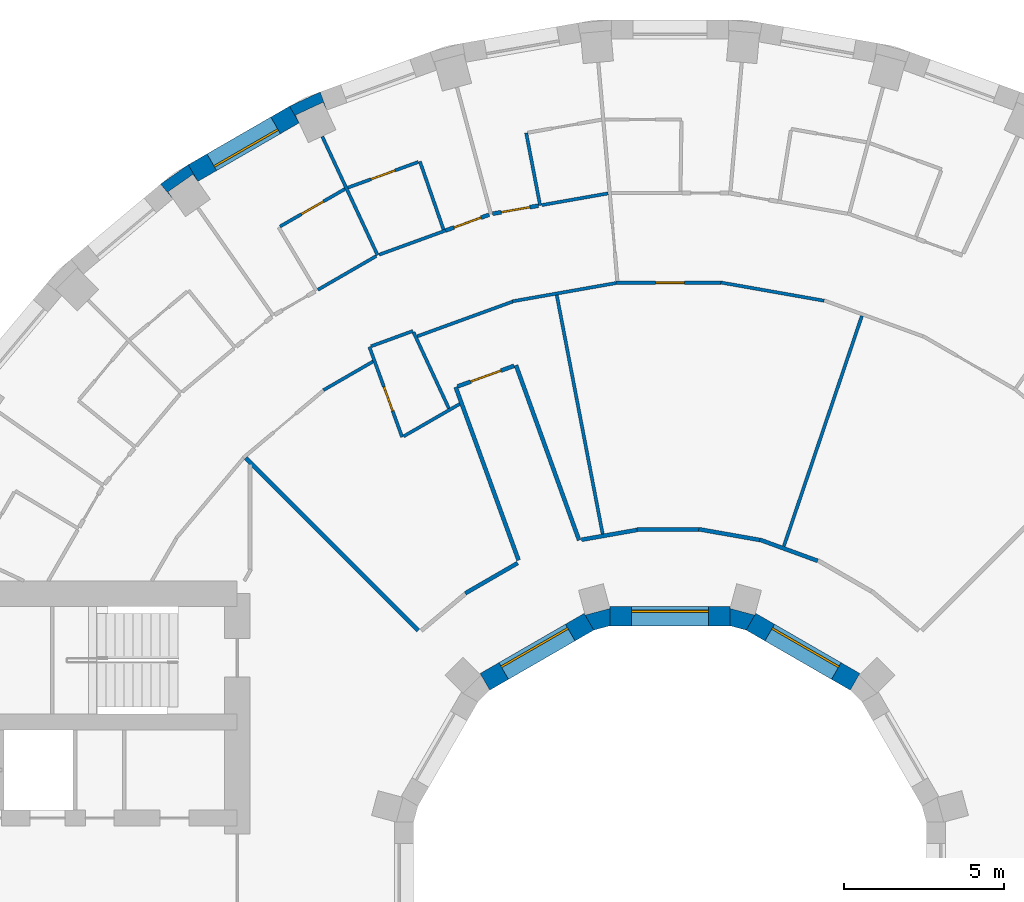
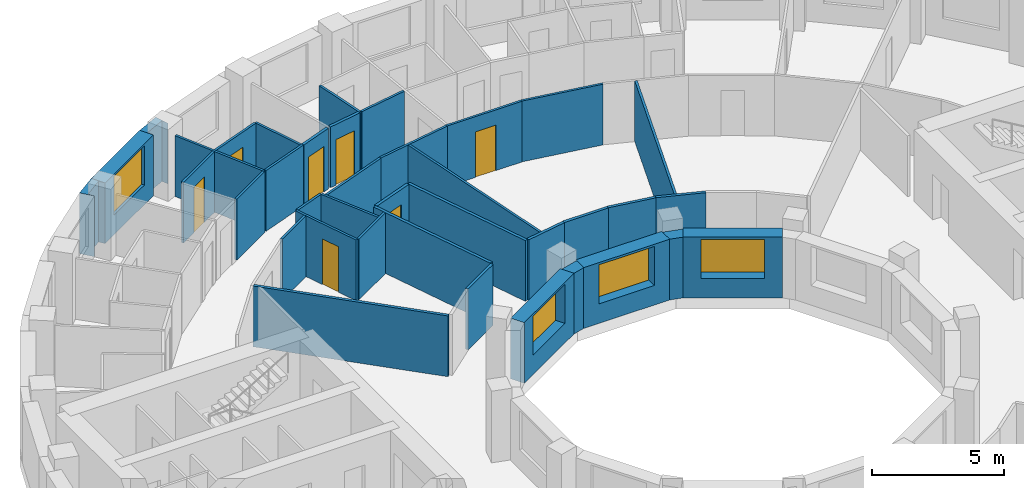
# One storey, part 10 of 14: 38 walls, 7 doors, 4 windows, 11 openings.
"""IFC4 building model written with IfcOpenShell, lengths in metres."""

from ifc_helpers import new_model, si_unit, direction, frame, frame_2d, origin, place, context, subcontext, project, spatial, polyline, rectangle, outline, extrude, material, layer, layer_set, type_object, element, fill, save


model = new_model("IFC4")

# Units and contexts
model_context = context("Model", 3, precision=1e-05, world=origin(), true_north=direction((0.0, 1.0)))
body_context = subcontext(model_context, "Body", "Model", "MODEL_VIEW")
ifc_project = project(units=[si_unit("LENGTHUNIT", "METRE"), si_unit("AREAUNIT", "SQUARE_METRE"), si_unit("VOLUMEUNIT", "CUBIC_METRE"), si_unit("PLANEANGLEUNIT", "RADIAN"), si_unit("MASSUNIT", "GRAM", prefix="KILO")], contexts=[model_context])

# Site, building, storey
site_placement = place(None, origin())
site = spatial("IfcSite", under=ifc_project, at=site_placement, CompositionType="ELEMENT")
building_placement = place(site_placement, origin())
building = spatial("IfcBuilding", under=site, at=building_placement, Name="Saqina Gate Tower", CompositionType="ELEMENT")
storey_placement = place(building_placement, frame((0.0, 0.0, 134.800048828125)))
storey = spatial("IfcBuildingStorey", under=building, at=storey_placement, Name="L38", CompositionType="ELEMENT", Elevation=134.800048828125)

# Walls
ifc_material_1 = material(Name="Brick masonry (buff)", Category="masonry")
wall_type_1 = type_object("IfcWallType", Name="BRICK PIER COPING BUFF", PredefinedType="SOLIDWALL", material=ifc_material_1)
wall_1_placement = place(storey_placement, origin())
element("IfcWall", 1, at=wall_1_placement, inside=storey, type_object=wall_type_1, Name="Pier cap L38 column 12", PredefinedType="SOLIDWALL", context=body_context, shape_type="SweptSolid", body=[
    extrude(outline(polyline([(-10.913330078125, 24.6513671875), (-11.869140625, 24.205810546875), (-11.569091796875, 23.68603515625), (-11.6826171875, 23.9296875), (-10.82177734375, 24.331298828125), (-10.7080078125, 24.08740234375), (-10.913330078125, 24.6513671875)])), origin(), (0.0, 0.0, 1.0), 2.800048828125),
])
wall_2_placement = place(storey_placement, origin())
element("IfcWall", 2, at=wall_2_placement, inside=storey, type_object=wall_type_1, Name="Pier cap L38 column 13", PredefinedType="SOLIDWALL", context=body_context, shape_type="SweptSolid", body=[
    extrude(outline(polyline([(-15.89208984375, 21.77685546875), (-15.50634765625, 21.317138671875), (-15.66064453125, 21.53759765625), (-14.88232421875, 22.08251953125), (-14.728271484375, 21.862060546875), (-15.0283203125, 22.3818359375), (-15.89208984375, 21.77685546875)])), origin(), (0.0, 0.0, 1.0), 2.800048828125),
])

# Wall, opening, window
ifc_material_2 = material(Name="Brick masonry (buff)", Category="masonry")
ifc_layer_1 = layer(ifc_material_2, 0.60009765625)
ifc_layer_set_1 = layer_set([ifc_layer_1], Name="FW-BRICK-BUFF")
wall_type_2 = type_object("IfcWallType", Name="FW-BRICK-BUFF", PredefinedType="SOLIDWALL", material=ifc_layer_set_1)
wall_3_placement = place(storey_placement, frame((-11.718994140625, 23.94580078125, 0.0), z_axis=(0.0, 0.0, 1.0), x_axis=(-0.866051847062, -0.499954196102, 0.0)))
wall_3 = element("IfcWall", 3, at=wall_3_placement, inside=storey, type_object=wall_type_2, Name="Facade wall L38 facet 12", PredefinedType="SOLIDWALL", context=body_context, shape_type="SweptSolid", body=[
    extrude(rectangle(XDim=3.647705078125, YDim=0.60009765625, at=frame_2d((1.82373046875, 0.0))), origin(), (0.0, 0.0, 1.0), 2.800048828125),
])
opening_1_placement = place(wall_3_placement, frame((0.673828125, 0.0, 0.89990234375)))
opening_1 = element("IfcOpeningElement", 4, at=opening_1_placement, cuts=wall_3, Name="Opening G11-W10", PredefinedType="OPENING", context=body_context, shape_type="SweptSolid", body=[
    extrude(rectangle(XDim=2.300048828125, YDim=1.800048828125, at=frame_2d((1.14990234375, 0.89990234375))), frame((0.0, 0.31201171875, 0.0), z_axis=(0.0, -1.0, 0.0), x_axis=(1.0, 0.0, 0.0)), (0.0, 0.0, 1.0), 0.6240234375),
])
ifc_material_3 = material(Name="Aluminium glazing", Category="aluminium")
window_type_1 = type_object("IfcWindowType", Name="WN-B", PartitioningType="SINGLE_PANEL", PredefinedType="WINDOW", material=ifc_material_3)
window_1_placement = place(opening_1_placement, origin())
window_1 = element("IfcWindow", 5, at=window_1_placement, inside=storey, type_object=window_type_1, Name="Window L38 facet 12", OverallHeight=1.800048828125, OverallWidth=2.300048828125, PartitioningType="SINGLE_PANEL", PredefinedType="WINDOW", context=body_context, shape_type="SweptSolid", body=[
    extrude(rectangle(XDim=2.300048828125, YDim=1.800048828125, at=frame_2d((1.14990234375, 0.89990234375))), frame((0.0, 0.179931640625, 0.0), z_axis=(0.0, -1.0, 0.0), x_axis=(1.0, 0.0, 0.0)), (0.0, 0.0, 1.0), 0.06005859375),
])
fill(opening_1, window_1)

ifc_material_4 = material(Name="Glazed ceramic tile", Category="ceramic")
ifc_layer_2 = layer(ifc_material_4, 0.60009765625)
ifc_layer_set_2 = layer_set([ifc_layer_2], Name="IW-TILE")
wall_type_3 = type_object("IfcWallType", Name="IW-TILE", PredefinedType="SOLIDWALL", material=ifc_layer_set_2)
wall_4_placement = place(storey_placement, frame((5.772705078125, 6.251220703125, 0.0), z_axis=(0.0, 0.0, 1.0), x_axis=(-0.86604563398, 0.499964958637, 0.0)))
wall_4 = element("IfcWall", 6, at=wall_4_placement, inside=storey, type_object=wall_type_3, Name="Well wall L38 facet 2", PredefinedType="SOLIDWALL", context=body_context, shape_type="SweptSolid", body=[
    extrude(rectangle(XDim=3.747314453125, YDim=0.60009765625, at=frame_2d((1.87353515625, 0.0))), origin(), (0.0, 0.0, 1.0), 2.800048828125),
])
opening_2_placement = place(wall_4_placement, frame((0.673583984375, 0.0, 0.89990234375)))
opening_2 = element("IfcOpeningElement", 7, at=opening_2_placement, cuts=wall_4, Name="Opening G11-W24", PredefinedType="OPENING", context=body_context, shape_type="SweptSolid", body=[
    extrude(rectangle(XDim=2.39990234375, YDim=1.800048828125, at=frame_2d((1.199951171875, 0.89990234375))), frame((0.0, 0.31201171875, 0.0), z_axis=(0.0, -1.0, 0.0), x_axis=(1.0, 0.0, 0.0)), (0.0, 0.0, 1.0), 0.6240234375),
])
ifc_material_5 = material(Name="Aluminium glazing", Category="aluminium")
window_type_2 = type_object("IfcWindowType", Name="WN-W", PartitioningType="SINGLE_PANEL", PredefinedType="WINDOW", material=ifc_material_5)
window_2_placement = place(opening_2_placement, origin())
window_2 = element("IfcWindow", 8, at=window_2_placement, inside=storey, type_object=window_type_2, Name="Well window L38 facet 2", OverallHeight=1.800048828125, OverallWidth=2.39990234375, PartitioningType="SINGLE_PANEL", PredefinedType="WINDOW", context=body_context, shape_type="SweptSolid", body=[
    extrude(rectangle(XDim=2.39990234375, YDim=1.800048828125, at=frame_2d((1.199951171875, 0.89990234375))), frame((0.0, -0.119873046875, 0.0), z_axis=(0.0, -1.0, 0.0), x_axis=(1.0, 0.0, 0.0)), (0.0, 0.0, 1.0), 0.06005859375),
])
fill(opening_2, window_2)

wall_5_placement = place(storey_placement, frame((1.873779296875, 8.300048828125, 0.0), z_axis=(0.0, 0.0, 1.0), x_axis=(-1.0, 0.0, 0.0)))
wall_5 = element("IfcWall", 9, at=wall_5_placement, inside=storey, type_object=wall_type_3, Name="Well wall L38 facet 3", PredefinedType="SOLIDWALL", context=body_context, shape_type="SweptSolid", body=[
    extrude(rectangle(XDim=3.74755859375, YDim=0.60009765625, at=frame_2d((1.873779296875, 0.0))), origin(), (0.0, 0.0, 1.0), 2.800048828125),
])
opening_3_placement = place(wall_5_placement, frame((0.673583984375, 0.0, 0.89990234375)))
opening_3 = element("IfcOpeningElement", 10, at=opening_3_placement, cuts=wall_5, Name="Opening G11-W25", PredefinedType="OPENING", context=body_context, shape_type="SweptSolid", body=[
    extrude(rectangle(XDim=2.39990234375, YDim=1.800048828125, at=frame_2d((1.199951171875, 0.89990234375))), frame((0.0, 0.31201171875, 0.0), z_axis=(0.0, -1.0, 0.0), x_axis=(1.0, 0.0, 0.0)), (0.0, 0.0, 1.0), 0.6240234375),
])
window_3_placement = place(opening_3_placement, origin())
window_3 = element("IfcWindow", 11, at=window_3_placement, inside=storey, type_object=window_type_2, Name="Well window L38 facet 3", OverallHeight=1.800048828125, OverallWidth=2.39990234375, PartitioningType="SINGLE_PANEL", PredefinedType="WINDOW", context=body_context, shape_type="SweptSolid", body=[
    extrude(rectangle(XDim=2.39990234375, YDim=1.800048828125, at=frame_2d((1.199951171875, 0.89990234375))), frame((0.0, -0.119873046875, 0.0), z_axis=(0.0, -1.0, 0.0), x_axis=(1.0, 0.0, 0.0)), (0.0, 0.0, 1.0), 0.06005859375),
])
fill(opening_3, window_3)

wall_6_placement = place(storey_placement, frame((-2.52734375, 8.124755859375, 0.0), z_axis=(0.0, 0.0, 1.0), x_axis=(-0.86604563398, -0.499964958637, 0.0)))
wall_6 = element("IfcWall", 12, at=wall_6_placement, inside=storey, type_object=wall_type_3, Name="Well wall L38 facet 4", PredefinedType="SOLIDWALL", context=body_context, shape_type="SweptSolid", body=[
    extrude(rectangle(XDim=3.747314453125, YDim=0.60009765625, at=frame_2d((1.87353515625, 0.0))), origin(), (0.0, 0.0, 1.0), 2.800048828125),
])
opening_4_placement = place(wall_6_placement, frame((0.673583984375, 0.0, 0.89990234375)))
opening_4 = element("IfcOpeningElement", 13, at=opening_4_placement, cuts=wall_6, Name="Opening G11-W26", PredefinedType="OPENING", context=body_context, shape_type="SweptSolid", body=[
    extrude(rectangle(XDim=2.39990234375, YDim=1.800048828125, at=frame_2d((1.199951171875, 0.89990234375))), frame((0.0, 0.31201171875, 0.0), z_axis=(0.0, -1.0, 0.0), x_axis=(1.0, 0.0, 0.0)), (0.0, 0.0, 1.0), 0.6240234375),
])
window_4_placement = place(opening_4_placement, origin())
window_4 = element("IfcWindow", 14, at=window_4_placement, inside=storey, type_object=window_type_2, Name="Well window L38 facet 4", OverallHeight=1.800048828125, OverallWidth=2.39990234375, PartitioningType="SINGLE_PANEL", PredefinedType="WINDOW", context=body_context, shape_type="SweptSolid", body=[
    extrude(rectangle(XDim=2.39990234375, YDim=1.800048828125, at=frame_2d((1.199951171875, 0.89990234375))), frame((0.0, -0.119873046875, 0.0), z_axis=(0.0, -1.0, 0.0), x_axis=(1.0, 0.0, 0.0)), (0.0, 0.0, 1.0), 0.06005859375),
])
fill(opening_4, window_4)

# Walls
ifc_material_6 = material(Name="Gypsum board on steel studs, 100 mm", Category="steel")
ifc_layer_3 = layer(ifc_material_6, 0.10009765625)
ifc_layer_set_3 = layer_set([ifc_layer_3], Name="PARTITION 100")
wall_type_4 = type_object("IfcWallType", Name="PARTITION 100", PredefinedType="PARTITIONING", material=ifc_layer_set_3)
wall_7_placement = place(storey_placement, frame((-4.486083984375, 23.373046875, 0.0), z_axis=(0.0, 0.0, 1.0), x_axis=(0.188701744684, -0.982034445197, 0.0)))
element("IfcWall", 15, at=wall_7_placement, inside=storey, type_object=wall_type_4, Name="PARTITION PW3-06", PredefinedType="PARTITIONING", context=body_context, shape_type="SweptSolid", body=[
    extrude(rectangle(XDim=2.30029296875, YDim=0.10009765625, at=frame_2d((1.150146484375, 0.0))), origin(), (0.0, 0.0, 1.0), 2.800048828125),
])
wall_8_placement = place(storey_placement, frame((-3.532470703125, 18.31396484375, 0.0), z_axis=(0.0, 0.0, 1.0), x_axis=(0.188654052272, -0.982043608279, 0.0)))
element("IfcWall", 16, at=wall_8_placement, inside=storey, type_object=wall_type_4, Name="PARTITION PW3-07", PredefinedType="PARTITIONING", context=body_context, shape_type="SweptSolid", body=[
    extrude(rectangle(XDim=7.58740234375, YDim=0.10009765625, at=frame_2d((3.793701171875, 0.0))), origin(), (0.0, 0.0, 1.0), 2.800048828125),
])
wall_9_placement = place(storey_placement, frame((-7.802001953125, 22.485107421875, 0.0), z_axis=(0.0, 0.0, 1.0), x_axis=(0.327758868129, -0.944761411343, 0.0)))
element("IfcWall", 17, at=wall_9_placement, inside=storey, type_object=wall_type_4, Name="PARTITION PW3-10", PredefinedType="PARTITIONING", context=body_context, shape_type="SweptSolid", body=[
    extrude(rectangle(XDim=2.250244140625, YDim=0.10009765625, at=frame_2d((1.125, 0.0))), origin(), (0.0, 0.0, 1.0), 2.800048828125),
])

# Wall, opening, door
wall_10_placement = place(storey_placement, frame((-9.377685546875, 16.7001953125, 0.0), z_axis=(0.0, 0.0, 1.0), x_axis=(0.341009323841, -0.940059913545, 0.0)))
wall_10 = element("IfcWall", 18, at=wall_10_placement, inside=storey, type_object=wall_type_4, Name="PARTITION PW3-11", PredefinedType="PARTITIONING", context=body_context, shape_type="SweptSolid", body=[
    extrude(rectangle(XDim=2.99267578125, YDim=0.10009765625, at=frame_2d((1.496337890625, 0.0))), origin(), (0.0, 0.0, 1.0), 2.800048828125),
])
opening_5_placement = place(wall_10_placement, frame((1.325927734375, 0.0, 0.0)))
opening_5 = element("IfcOpeningElement", 19, at=opening_5_placement, cuts=wall_10, Name="Opening G11-D18", PredefinedType="OPENING", context=body_context, shape_type="SweptSolid", body=[
    extrude(rectangle(XDim=0.800048828125, YDim=2.10009765625, at=frame_2d((0.39990234375, 1.050048828125))), frame((0.0, 0.06201171875, 0.0), z_axis=(0.0, -1.0, 0.0), x_axis=(1.0, 0.0, 0.0)), (0.0, 0.0, 1.0), 0.1240234375),
])
ifc_material_7 = material(Name="Timber door leaf, 800 mm", Category="wood")
door_type_1 = type_object("IfcDoorType", Name="DOOR 800 TIMBER", OperationType="SINGLE_SWING_LEFT", PredefinedType="DOOR", material=ifc_material_7)
door_1_placement = place(opening_5_placement, frame((0.800048828125, 0.0, 0.0), z_axis=(0.0, 0.0, 1.0), x_axis=(-1.0, 0.0, 0.0)))
door_1 = element("IfcDoor", 20, at=door_1_placement, inside=storey, type_object=door_type_1, Name="DOOR G11-D18", OperationType="SINGLE_SWING_LEFT", OverallHeight=2.10009765625, OverallWidth=0.800048828125, PredefinedType="DOOR", context=body_context, shape_type="SweptSolid", body=[
    extrude(rectangle(XDim=0.800048828125, YDim=2.10009765625, at=frame_2d((0.39990234375, 1.050048828125))), frame((0.0, 0.02490234375, 0.0), z_axis=(0.0, -1.0, 0.0), x_axis=(1.0, 0.0, 0.0)), (0.0, 0.0, 1.0), 0.050048828125),
])
fill(opening_5, door_1)

# Walls
wall_11_placement = place(storey_placement, frame((-8.000732421875, 17.15771484375, 0.0), z_axis=(0.0, 0.0, 1.0), x_axis=(0.420966177441, -0.907076334964, 0.0)))
element("IfcWall", 21, at=wall_11_placement, inside=storey, type_object=wall_type_4, Name="PARTITION PW3-13", PredefinedType="PARTITIONING", context=body_context, shape_type="SweptSolid", body=[
    extrude(rectangle(XDim=2.61962890625, YDim=0.10009765625, at=frame_2d((1.309814453125, 0.0))), origin(), (0.0, 0.0, 1.0), 2.800048828125),
])
wall_12_placement = place(storey_placement, frame((-10.84716796875, 23.260009765625, 0.0), z_axis=(0.0, 0.0, 1.0), x_axis=(0.422784035137, -0.906230467173, 0.0)))
element("IfcWall", 22, at=wall_12_placement, inside=storey, type_object=wall_type_4, Name="PARTITION PW3-14", PredefinedType="PARTITIONING", context=body_context, shape_type="SweptSolid", body=[
    extrude(rectangle(XDim=4.0849609375, YDim=0.10009765625, at=frame_2d((2.04248046875, 0.0))), origin(), (0.0, 0.0, 1.0), 2.800048828125),
])
wall_13_placement = place(storey_placement, frame((1.5859375, 18.707763671875, 0.0), z_axis=(0.0, 0.0, 1.0), x_axis=(0.984816586048, -0.17359807558, 0.0)))
element("IfcWall", 23, at=wall_13_placement, inside=storey, type_object=wall_type_4, Name="PARTITION PW3-35", PredefinedType="PARTITIONING", context=body_context, shape_type="SweptSolid", body=[
    extrude(rectangle(XDim=3.272705078125, YDim=0.10009765625, at=frame_2d((1.63623046875, 0.0))), origin(), (0.0, 0.0, 1.0), 2.800048828125),
])

# Wall, opening, door
wall_14_placement = place(storey_placement, frame((-1.686767578125, 18.698974609375, 0.0), z_axis=(0.0, 0.0, 1.0), x_axis=(1.0, 0.0, 0.0)))
wall_14 = element("IfcWall", 24, at=wall_14_placement, inside=storey, type_object=wall_type_4, Name="PARTITION PW3-41", PredefinedType="PARTITIONING", context=body_context, shape_type="SweptSolid", body=[
    extrude(rectangle(XDim=3.272705078125, YDim=0.10009765625, at=frame_2d((1.63623046875, 0.0))), origin(), (0.0, 0.0, 1.0), 2.800048828125),
])
opening_6_placement = place(wall_14_placement, frame((1.23681640625, 0.0, 0.0)))
opening_6 = element("IfcOpeningElement", 25, at=opening_6_placement, cuts=wall_14, Name="Opening G11-D09", PredefinedType="OPENING", context=body_context, shape_type="SweptSolid", body=[
    extrude(rectangle(XDim=0.89990234375, YDim=2.10009765625, at=frame_2d((0.449951171875, 1.050048828125))), frame((0.0, 0.06201171875, 0.0), z_axis=(0.0, -1.0, 0.0), x_axis=(1.0, 0.0, 0.0)), (0.0, 0.0, 1.0), 0.1240234375),
])
ifc_material_8 = material(Name="Timber door leaf, 900 mm", Category="wood")
door_type_2 = type_object("IfcDoorType", Name="DOOR 900 TIMBER", OperationType="SINGLE_SWING_LEFT", PredefinedType="DOOR", material=ifc_material_8)
door_2_placement = place(opening_6_placement, origin())
door_2 = element("IfcDoor", 26, at=door_2_placement, inside=storey, type_object=door_type_2, Name="DOOR G11-D09", OperationType="SINGLE_SWING_RIGHT", OverallHeight=2.10009765625, OverallWidth=0.89990234375, PredefinedType="DOOR", context=body_context, shape_type="SweptSolid", body=[
    extrude(rectangle(XDim=0.89990234375, YDim=2.10009765625, at=frame_2d((0.449951171875, 1.050048828125))), frame((0.0, 0.02490234375, 0.0), z_axis=(0.0, -1.0, 0.0), x_axis=(1.0, 0.0, 0.0)), (0.0, 0.0, 1.0), 0.050048828125),
])
fill(opening_6, door_2)

# Walls
wall_15_placement = place(storey_placement, frame((-4.907958984375, 18.1220703125, 0.0), z_axis=(0.0, 0.0, 1.0), x_axis=(0.984801579175, 0.1736831876, 0.0)))
element("IfcWall", 27, at=wall_15_placement, inside=storey, type_object=wall_type_4, Name="PARTITION PW3-48", PredefinedType="PARTITIONING", context=body_context, shape_type="SweptSolid", body=[
    extrude(rectangle(XDim=3.2724609375, YDim=0.10009765625, at=frame_2d((1.63623046875, 0.0))), origin(), (0.0, 0.0, 1.0), 2.800048828125),
])
wall_16_placement = place(storey_placement, frame((-4.002685546875, 21.122802734375, 0.0), z_axis=(0.0, 0.0, 1.0), x_axis=(0.984804573467, 0.173666208797, 0.0)))
element("IfcWall", 28, at=wall_16_placement, inside=storey, type_object=wall_type_4, Name="PARTITION PW3-49", PredefinedType="PARTITIONING", context=body_context, shape_type="SweptSolid", body=[
    extrude(rectangle(XDim=2.1044921875, YDim=0.10009765625, at=frame_2d((1.05224609375, 0.0))), origin(), (0.0, 0.0, 1.0), 2.800048828125),
])
wall_17_placement = place(storey_placement, frame((-7.885009765625, 17.029052734375, 0.0), z_axis=(0.0, 0.0, 1.0), x_axis=(0.939658489008, 0.342113905059, 0.0)))
element("IfcWall", 29, at=wall_17_placement, inside=storey, type_object=wall_type_4, Name="PARTITION PW3-54", PredefinedType="PARTITIONING", context=body_context, shape_type="SweptSolid", body=[
    extrude(rectangle(XDim=3.17138671875, YDim=0.10009765625, at=frame_2d((1.585693359375, 0.0))), origin(), (0.0, 0.0, 1.0), 2.800048828125),
])
wall_18_placement = place(storey_placement, frame((-9.3291015625, 16.7177734375, 0.0), z_axis=(0.0, 0.0, 1.0), x_axis=(0.939665632091, 0.342094285054, 0.0)))
element("IfcWall", 30, at=wall_18_placement, inside=storey, type_object=wall_type_4, Name="PARTITION PW3-55", PredefinedType="PARTITIONING", context=body_context, shape_type="SweptSolid", body=[
    extrude(rectangle(XDim=1.395263671875, YDim=0.10009765625, at=frame_2d((0.69775390625, 0.0))), origin(), (0.0, 0.0, 1.0), 2.800048828125),
])
wall_19_placement = place(storey_placement, frame((-9.072998046875, 19.5751953125, 0.0), z_axis=(0.0, 0.0, 1.0), x_axis=(0.939728749343, 0.341920864613, 0.0)))
element("IfcWall", 31, at=wall_19_placement, inside=storey, type_object=wall_type_4, Name="PARTITION PW3-56", PredefinedType="PARTITIONING", context=body_context, shape_type="SweptSolid", body=[
    extrude(rectangle(XDim=2.204833984375, YDim=0.10009765625, at=frame_2d((1.1025390625, 0.0))), origin(), (0.0, 0.0, 1.0), 2.800048828125),
])

# Wall, opening, door
wall_20_placement = place(storey_placement, frame((-10.049072265625, 21.6669921875, 0.0), z_axis=(0.0, 0.0, 1.0), x_axis=(0.939662448837, 0.342103028699, 0.0)))
wall_20 = element("IfcWall", 32, at=wall_20_placement, inside=storey, type_object=wall_type_4, Name="PARTITION PW3-57", PredefinedType="PARTITIONING", context=body_context, shape_type="SweptSolid", body=[
    extrude(rectangle(XDim=2.341552734375, YDim=0.10009765625, at=frame_2d((1.1708984375, 0.0))), origin(), (0.0, 0.0, 1.0), 2.800048828125),
])
opening_7_placement = place(wall_20_placement, frame((0.7705078125, 0.0, 0.0)))
opening_7 = element("IfcOpeningElement", 33, at=opening_7_placement, cuts=wall_20, Name="Opening G11-D16", PredefinedType="OPENING", context=body_context, shape_type="SweptSolid", body=[
    extrude(rectangle(XDim=0.800048828125, YDim=2.10009765625, at=frame_2d((0.39990234375, 1.050048828125))), frame((0.0, 0.06201171875, 0.0), z_axis=(0.0, -1.0, 0.0), x_axis=(1.0, 0.0, 0.0)), (0.0, 0.0, 1.0), 0.1240234375),
])
door_3_placement = place(opening_7_placement, origin())
door_3 = element("IfcDoor", 34, at=door_3_placement, inside=storey, type_object=door_type_1, Name="DOOR G11-D16", OperationType="SINGLE_SWING_LEFT", OverallHeight=2.10009765625, OverallWidth=0.800048828125, PredefinedType="DOOR", context=body_context, shape_type="SweptSolid", body=[
    extrude(rectangle(XDim=0.800048828125, YDim=2.10009765625, at=frame_2d((0.39990234375, 1.050048828125))), frame((0.0, 0.02490234375, 0.0), z_axis=(0.0, -1.0, 0.0), x_axis=(1.0, 0.0, 0.0)), (0.0, 0.0, 1.0), 0.050048828125),
])
fill(opening_7, door_3)

# Walls
wall_21_placement = place(storey_placement, frame((-8.309814453125, 13.908935546875, 0.0), z_axis=(0.0, 0.0, 1.0), x_axis=(0.866137275136, 0.499806183056, 0.0)))
element("IfcWall", 35, at=wall_21_placement, inside=storey, type_object=wall_type_4, Name="PARTITION PW3-59", PredefinedType="PARTITIONING", context=body_context, shape_type="SweptSolid", body=[
    extrude(rectangle(XDim=2.019287109375, YDim=0.10009765625, at=frame_2d((1.009765625, 0.0))), origin(), (0.0, 0.0, 1.0), 2.800048828125),
])
wall_22_placement = place(storey_placement, frame((-10.81005859375, 15.3505859375, 0.0), z_axis=(0.0, 0.0, 1.0), x_axis=(0.866037519928, 0.499979013637, 0.0)))
element("IfcWall", 36, at=wall_22_placement, inside=storey, type_object=wall_type_4, Name="PARTITION PW3-60", PredefinedType="PARTITIONING", context=body_context, shape_type="SweptSolid", body=[
    extrude(rectangle(XDim=1.78466796875, YDim=0.10009765625, at=frame_2d((0.892333984375, 0.0))), origin(), (0.0, 0.0, 1.0), 2.800048828125),
])
wall_23_placement = place(storey_placement, frame((-10.985595703125, 18.47998046875, 0.0), z_axis=(0.0, 0.0, 1.0), x_axis=(0.865841622723, 0.50031818312, 0.0)))
element("IfcWall", 37, at=wall_23_placement, inside=storey, type_object=wall_type_4, Name="PARTITION PW3-61", PredefinedType="PARTITIONING", context=body_context, shape_type="SweptSolid", body=[
    extrude(rectangle(XDim=2.104736328125, YDim=0.10009765625, at=frame_2d((1.05224609375, 0.0))), origin(), (0.0, 0.0, 1.0), 2.800048828125),
])

# Wall, opening, door
wall_24_placement = place(storey_placement, frame((-12.165771484375, 20.455078125, 0.0), z_axis=(0.0, 0.0, 1.0), x_axis=(0.866025730634, 0.499999433879, 0.0)))
wall_24 = element("IfcWall", 38, at=wall_24_placement, inside=storey, type_object=wall_type_4, Name="PARTITION PW3-62", PredefinedType="PARTITIONING", context=body_context, shape_type="SweptSolid", body=[
    extrude(rectangle(XDim=2.33984375, YDim=0.10009765625, at=frame_2d((1.169921875, 0.0))), origin(), (0.0, 0.0, 1.0), 2.800048828125),
])
opening_8_placement = place(wall_24_placement, frame((0.77001953125, 0.0, 0.0)))
opening_8 = element("IfcOpeningElement", 39, at=opening_8_placement, cuts=wall_24, Name="Opening G11-D17", PredefinedType="OPENING", context=body_context, shape_type="SweptSolid", body=[
    extrude(rectangle(XDim=0.800048828125, YDim=2.10009765625, at=frame_2d((0.39990234375, 1.050048828125))), frame((0.0, 0.06201171875, 0.0), z_axis=(0.0, -1.0, 0.0), x_axis=(1.0, 0.0, 0.0)), (0.0, 0.0, 1.0), 0.1240234375),
])
door_4_placement = place(opening_8_placement, origin())
door_4 = element("IfcDoor", 40, at=door_4_placement, inside=storey, type_object=door_type_1, Name="DOOR G11-D17", OperationType="SINGLE_SWING_RIGHT", OverallHeight=2.10009765625, OverallWidth=0.800048828125, PredefinedType="DOOR", context=body_context, shape_type="SweptSolid", body=[
    extrude(rectangle(XDim=0.800048828125, YDim=2.10009765625, at=frame_2d((0.39990234375, 1.050048828125))), frame((0.0, 0.02490234375, 0.0), z_axis=(0.0, -1.0, 0.0), x_axis=(1.0, 0.0, 0.0)), (0.0, 0.0, 1.0), 0.050048828125),
])
fill(opening_8, door_4)

# Walls
wall_25_placement = place(storey_placement, frame((3.552001953125, 10.479736328125, 0.0), z_axis=(0.0, 0.0, 1.0), x_axis=(0.320895480421, 0.947114613257, 0.0)))
element("IfcWall", 41, at=wall_25_placement, inside=storey, type_object=wall_type_4, Name="PARTITION PW3-80", PredefinedType="PARTITIONING", context=body_context, shape_type="SweptSolid", body=[
    extrude(rectangle(XDim=7.58837890625, YDim=0.10009765625, at=frame_2d((3.794189453125, 0.0))), origin(), (0.0, 0.0, 1.0), 2.800048828125),
])
ifc_material_9 = material(Name="Gypsum board on steel studs, 125 mm, fire rated", Category="steel")
ifc_layer_4 = layer(ifc_material_9, 0.125)
ifc_layer_set_4 = layer_set([ifc_layer_4], Name="PARTITION EI 30 125")
wall_type_5 = type_object("IfcWallType", Name="PARTITION EI 30 125", PredefinedType="PARTITIONING", material=ifc_layer_set_4)
wall_26_placement = place(storey_placement, frame((-4.804931640625, 16.127197265625, 0.0), z_axis=(0.0, 0.0, 1.0), x_axis=(0.339327115449, -0.940668437188, 0.0)))
element("IfcWall", 42, at=wall_26_placement, inside=storey, type_object=wall_type_5, Name="PARTITION PW1-03", PredefinedType="PARTITIONING", context=body_context, shape_type="SweptSolid", body=[
    extrude(rectangle(XDim=5.80419921875, YDim=0.125, at=frame_2d((2.902099609375, 0.0))), origin(), (0.0, 0.0, 1.0), 2.800048828125),
])
wall_27_placement = place(storey_placement, frame((-6.685791015625, 15.445068359375, 0.0), z_axis=(0.0, 0.0, 1.0), x_axis=(0.341435936204, -0.939905049177, 0.0)))
element("IfcWall", 43, at=wall_27_placement, inside=storey, type_object=wall_type_5, Name="PARTITION PW1-04", PredefinedType="PARTITIONING", context=body_context, shape_type="SweptSolid", body=[
    extrude(rectangle(XDim=5.74462890625, YDim=0.125, at=frame_2d((2.872314453125, 0.0))), origin(), (0.0, 0.0, 1.0), 2.800048828125),
])
wall_28_placement = place(storey_placement, frame((-13.236572265625, 13.236572265625, 0.0), z_axis=(0.0, 0.0, 1.0), x_axis=(0.707106781187, -0.707106781187, 0.0)))
element("IfcWall", 44, at=wall_28_placement, inside=storey, type_object=wall_type_5, Name="PARTITION PW1-06", PredefinedType="PARTITIONING", context=body_context, shape_type="SweptSolid", body=[
    extrude(rectangle(XDim=7.614501953125, YDim=0.125, at=frame_2d((3.80712890625, 0.0))), origin(), (0.0, 0.0, 1.0), 2.800048828125),
])
wall_29_placement = place(storey_placement, frame((2.798095703125, 10.685546875, 0.0), z_axis=(0.0, 0.0, 1.0), x_axis=(0.939367042811, -0.34291334019, 0.0)))
element("IfcWall", 45, at=wall_29_placement, inside=storey, type_object=wall_type_5, Name="PARTITION PW1-12", PredefinedType="PARTITIONING", context=body_context, shape_type="SweptSolid", body=[
    extrude(rectangle(XDim=1.92578125, YDim=0.125, at=frame_2d((0.962890625, 0.0))), origin(), (0.0, 0.0, 1.0), 2.800048828125),
])
wall_30_placement = place(storey_placement, frame((0.8994140625, 11.010986328125, 0.0), z_axis=(0.0, 0.0, 1.0), x_axis=(0.984830733923, -0.173517795977, 0.0)))
element("IfcWall", 46, at=wall_30_placement, inside=storey, type_object=wall_type_5, Name="PARTITION PW1-17", PredefinedType="PARTITIONING", context=body_context, shape_type="SweptSolid", body=[
    extrude(rectangle(XDim=1.92626953125, YDim=0.125, at=frame_2d((0.963134765625, 0.0))), origin(), (0.0, 0.0, 1.0), 2.800048828125),
])
wall_31_placement = place(storey_placement, frame((-1.025390625, 11.0, 0.0), z_axis=(0.0, 0.0, 1.0), x_axis=(1.0, 0.0, 0.0)))
element("IfcWall", 47, at=wall_31_placement, inside=storey, type_object=wall_type_5, Name="PARTITION PW1-21", PredefinedType="PARTITIONING", context=body_context, shape_type="SweptSolid", body=[
    extrude(rectangle(XDim=1.9248046875, YDim=0.125, at=frame_2d((0.96240234375, 0.0))), origin(), (0.0, 0.0, 1.0), 2.800048828125),
])
wall_32_placement = place(storey_placement, frame((-2.760498046875, 10.68310546875, 0.0), z_axis=(0.0, 0.0, 1.0), x_axis=(0.98482115855, 0.173572133917, 0.0)))
element("IfcWall", 48, at=wall_32_placement, inside=storey, type_object=wall_type_5, Name="PARTITION PW1-25", PredefinedType="PARTITIONING", context=body_context, shape_type="SweptSolid", body=[
    extrude(rectangle(XDim=1.763916015625, YDim=0.125, at=frame_2d((0.8818359375, 0.0))), origin(), (0.0, 0.0, 1.0), 2.800048828125),
])

# Wall, opening, door
wall_33_placement = place(storey_placement, frame((-5.53564453125, 20.852783203125, 0.0), z_axis=(0.0, 0.0, 1.0), x_axis=(0.984862774054, 0.173335848233, 0.0)))
wall_33 = element("IfcWall", 49, at=wall_33_placement, inside=storey, type_object=wall_type_5, Name="PARTITION PW1-26", PredefinedType="PARTITIONING", context=body_context, shape_type="SweptSolid", body=[
    extrude(rectangle(XDim=1.456298828125, YDim=0.125, at=frame_2d((0.72802734375, 0.0))), origin(), (0.0, 0.0, 1.0), 2.800048828125),
])
opening_9_placement = place(wall_33_placement, frame((0.2783203125, 0.0, 0.0)))
opening_9 = element("IfcOpeningElement", 50, at=opening_9_placement, cuts=wall_33, Name="Opening G11-D13", PredefinedType="OPENING", context=body_context, shape_type="SweptSolid", body=[
    extrude(rectangle(XDim=0.89990234375, YDim=2.10009765625, at=frame_2d((0.449951171875, 1.050048828125))), frame((0.0, 0.074462890625, 0.0), z_axis=(0.0, -1.0, 0.0), x_axis=(1.0, 0.0, 0.0)), (0.0, 0.0, 1.0), 0.14892578125),
])
ifc_material_10 = material(Name="Fire door leaf EI 30, 900 mm")
door_type_3 = type_object("IfcDoorType", Name="DOOR 900 EI 30", OperationType="SINGLE_SWING_LEFT", PredefinedType="DOOR", material=ifc_material_10)
door_5_placement = place(opening_9_placement, frame((0.89990234375, 0.0, 0.0), z_axis=(0.0, 0.0, 1.0), x_axis=(-1.0, 0.0, 0.0)))
door_5 = element("IfcDoor", 51, at=door_5_placement, inside=storey, type_object=door_type_3, Name="DOOR G11-D13", OperationType="SINGLE_SWING_RIGHT", OverallHeight=2.10009765625, OverallWidth=0.89990234375, PredefinedType="DOOR", context=body_context, shape_type="SweptSolid", body=[
    extrude(rectangle(XDim=0.89990234375, YDim=2.10009765625, at=frame_2d((0.449951171875, 1.050048828125))), frame((0.0, 0.02490234375, 0.0), z_axis=(0.0, -1.0, 0.0), x_axis=(1.0, 0.0, 0.0)), (0.0, 0.0, 1.0), 0.050048828125),
])
fill(opening_9, door_5)

wall_34_placement = place(storey_placement, frame((-6.625244140625, 15.467041015625, 0.0), z_axis=(0.0, 0.0, 1.0), x_axis=(0.939717302556, 0.341952323105, 0.0)))
wall_34 = element("IfcWall", 52, at=wall_34_placement, inside=storey, type_object=wall_type_5, Name="PARTITION PW1-29", PredefinedType="PARTITIONING", context=body_context, shape_type="SweptSolid", body=[
    extrude(rectangle(XDim=1.87353515625, YDim=0.125, at=frame_2d((0.936767578125, 0.0))), origin(), (0.0, 0.0, 1.0), 2.800048828125),
])
opening_10_placement = place(wall_34_placement, frame((0.435791015625, 0.0, 0.0)))
opening_10 = element("IfcOpeningElement", 53, at=opening_10_placement, cuts=wall_34, Name="Opening G11-D15", PredefinedType="OPENING", context=body_context, shape_type="SweptSolid", body=[
    extrude(rectangle(XDim=1.0, YDim=2.10009765625, at=frame_2d((0.5, 1.050048828125))), frame((0.0, 0.074462890625, 0.0), z_axis=(0.0, -1.0, 0.0), x_axis=(1.0, 0.0, 0.0)), (0.0, 0.0, 1.0), 0.14892578125),
])
ifc_material_11 = material(Name="Fire door leaf EI 30, 1000 mm")
door_type_4 = type_object("IfcDoorType", Name="DOOR 1000 EI 30", OperationType="SINGLE_SWING_LEFT", PredefinedType="DOOR", material=ifc_material_11)
door_6_placement = place(opening_10_placement, origin())
door_6 = element("IfcDoor", 54, at=door_6_placement, inside=storey, type_object=door_type_4, Name="DOOR G11-D15", OperationType="SINGLE_SWING_LEFT", OverallHeight=2.10009765625, OverallWidth=1.0, PredefinedType="DOOR", context=body_context, shape_type="SweptSolid", body=[
    extrude(rectangle(XDim=1.0, YDim=2.10009765625, at=frame_2d((0.5, 1.050048828125))), frame((0.0, 0.02490234375, 0.0), z_axis=(0.0, -1.0, 0.0), x_axis=(1.0, 0.0, 0.0)), (0.0, 0.0, 1.0), 0.050048828125),
])
fill(opening_10, door_6)

wall_35_placement = place(storey_placement, frame((-7.0009765625, 20.3291015625, 0.0), z_axis=(0.0, 0.0, 1.0), x_axis=(0.939763804893, 0.341824503237, 0.0)))
wall_35 = element("IfcWall", 55, at=wall_35_placement, inside=storey, type_object=wall_type_5, Name="PARTITION PW1-30", PredefinedType="PARTITIONING", context=body_context, shape_type="SweptSolid", body=[
    extrude(rectangle(XDim=1.444091796875, YDim=0.125, at=frame_2d((0.72216796875, 0.0))), origin(), (0.0, 0.0, 1.0), 2.800048828125),
])
opening_11_placement = place(wall_35_placement, frame((0.27783203125, 0.0, 0.0)))
opening_11 = element("IfcOpeningElement", 56, at=opening_11_placement, cuts=wall_35, Name="Opening G11-D14", PredefinedType="OPENING", context=body_context, shape_type="SweptSolid", body=[
    extrude(rectangle(XDim=0.89990234375, YDim=2.10009765625, at=frame_2d((0.449951171875, 1.050048828125))), frame((0.0, 0.074462890625, 0.0), z_axis=(0.0, -1.0, 0.0), x_axis=(1.0, 0.0, 0.0)), (0.0, 0.0, 1.0), 0.14892578125),
])
door_7_placement = place(opening_11_placement, frame((0.89990234375, 0.0, 0.0), z_axis=(0.0, 0.0, 1.0), x_axis=(-1.0, 0.0, 0.0)))
door_7 = element("IfcDoor", 57, at=door_7_placement, inside=storey, type_object=door_type_3, Name="DOOR G11-D14", OperationType="SINGLE_SWING_LEFT", OverallHeight=2.10009765625, OverallWidth=0.89990234375, PredefinedType="DOOR", context=body_context, shape_type="SweptSolid", body=[
    extrude(rectangle(XDim=0.89990234375, YDim=2.10009765625, at=frame_2d((0.449951171875, 1.050048828125))), frame((0.0, 0.02490234375, 0.0), z_axis=(0.0, -1.0, 0.0), x_axis=(1.0, 0.0, 0.0)), (0.0, 0.0, 1.0), 0.050048828125),
])
fill(opening_11, door_7)

# Walls
wall_36_placement = place(storey_placement, frame((-6.38623046875, 9.01123046875, 0.0), z_axis=(0.0, 0.0, 1.0), x_axis=(0.866006900077, 0.500032047992, 0.0)))
element("IfcWall", 58, at=wall_36_placement, inside=storey, type_object=wall_type_5, Name="PARTITION PW1-32", PredefinedType="PARTITIONING", context=body_context, shape_type="SweptSolid", body=[
    extrude(rectangle(XDim=1.888671875, YDim=0.125, at=frame_2d((0.9443359375, 0.0))), origin(), (0.0, 0.0, 1.0), 2.800048828125),
])
ifc_material_12 = material(Name="Glazed ceramic tile", Category="ceramic")
wall_type_6 = type_object("IfcWallType", Name="TILE PIER COPING", PredefinedType="SOLIDWALL", material=ifc_material_12)
wall_37_placement = place(storey_placement, origin())
element("IfcWall", 59, at=wall_37_placement, inside=storey, type_object=wall_type_6, Name="Well pier cap L38 column 3", PredefinedType="SOLIDWALL", context=body_context, shape_type="SweptSolid", body=[
    extrude(outline(polyline([(1.873779296875, 8.5380859375), (1.873779296875, 8.0), (2.377197265625, 7.864990234375), (2.646484375, 8.3310546875), (1.873779296875, 8.5380859375)])), origin(), (0.0, 0.0, 1.0), 2.800048828125),
])
wall_38_placement = place(storey_placement, origin())
element("IfcWall", 60, at=wall_38_placement, inside=storey, type_object=wall_type_6, Name="Well pier cap L38 column 4", PredefinedType="SOLIDWALL", context=body_context, shape_type="SweptSolid", body=[
    extrude(outline(polyline([(-2.646484375, 8.3310546875), (-2.377197265625, 7.864990234375), (-1.873779296875, 8.0), (-1.873779296875, 8.5380859375), (-2.646484375, 8.3310546875)])), origin(), (0.0, 0.0, 1.0), 2.800048828125),
])

save(model, "model.ifc")
